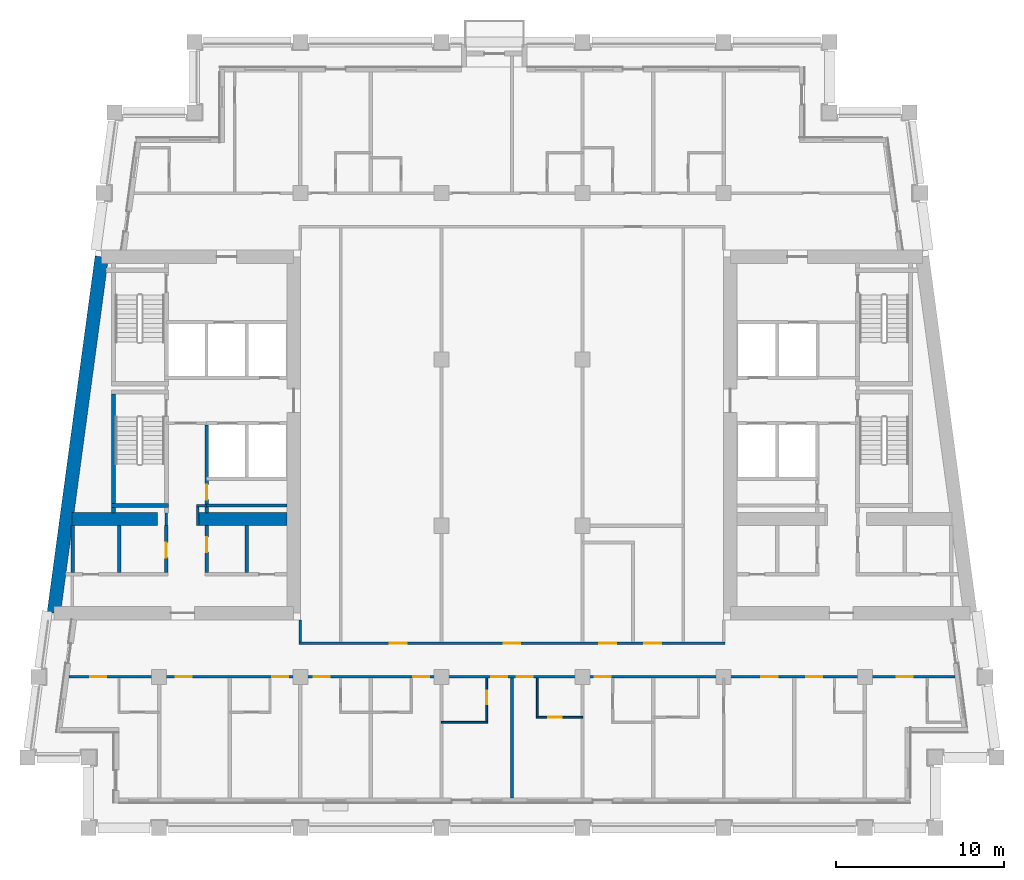
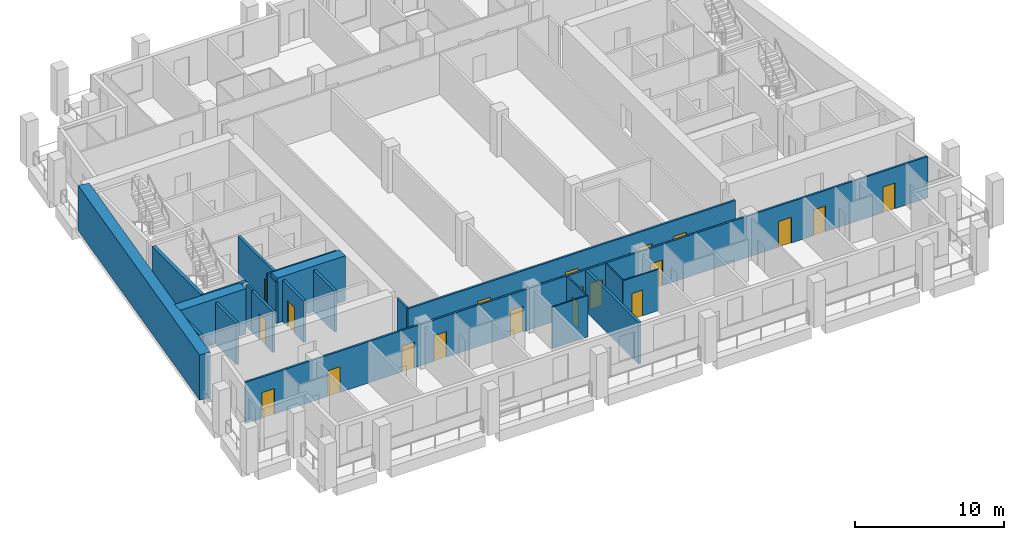
# One storey, part 3 of 13: 23 walls, 20 doors, 20 openings.
"""IFC4 building model written with IfcOpenShell, lengths in metres."""

from ifc_helpers import new_model, si_unit, direction, frame, frame_2d, origin, place, context, subcontext, project, spatial, rectangle, extrude, material, layer, layer_set, type_object, element, fill, save


model = new_model("IFC4")

# Units and contexts
model_context = context("Model", 3, precision=1e-05, world=origin(), true_north=direction((0.0, 1.0)))
body_context = subcontext(model_context, "Body", "Model", "MODEL_VIEW")
ifc_project = project(units=[si_unit("LENGTHUNIT", "METRE"), si_unit("AREAUNIT", "SQUARE_METRE"), si_unit("VOLUMEUNIT", "CUBIC_METRE"), si_unit("PLANEANGLEUNIT", "RADIAN"), si_unit("MASSUNIT", "GRAM", prefix="KILO")], contexts=[model_context])

# Site, building, storey
site_placement = place(None, origin())
site = spatial("IfcSite", under=ifc_project, at=site_placement, CompositionType="ELEMENT")
building_placement = place(site_placement, origin())
building = spatial("IfcBuilding", under=site, at=building_placement, Name="Candeia Pilgrim Tower and Theatre", CompositionType="ELEMENT")
storey_placement = place(building_placement, frame((0.0, 0.0, 202.199951171875)))
storey = spatial("IfcBuildingStorey", under=building, at=storey_placement, Name="L48", CompositionType="ELEMENT", Elevation=202.199951171875)

# Walls
ifc_material_1 = material(Name="Concrete C50/60", Category="concrete")
ifc_layer_1 = layer(ifc_material_1, 0.800048828125)
ifc_layer_set_1 = layer_set([ifc_layer_1], Name="Core wall 800 C50/60")
wall_type_1 = type_object("IfcWallType", Name="Core wall 800 C50/60", PredefinedType="SHEAR", material=ifc_layer_set_1)
wall_1_placement = place(storey_placement, frame((86.126708984375, 110.800048828125, 0.0), z_axis=(0.0, 0.0, 1.0), x_axis=(0.133408347329, 0.991061154956, 0.0)))
element("IfcWall", 1, at=wall_1_placement, inside=storey, type_object=wall_type_1, Name="Core wall W4", PredefinedType="SHEAR", context=body_context, shape_type="SweptSolid", body=[
    extrude(rectangle(XDim=21.39111328125, YDim=0.800048828125, at=frame_2d((10.695556640625, 0.0))), origin(), (0.0, 0.0, 1.0), 3.699951171875),
])
wall_2_placement = place(storey_placement, frame((87.22314453125, 116.39990234375, 0.0), z_axis=(0.0, 0.0, 1.0), x_axis=(1.0, 0.0, 0.0)))
element("IfcWall", 2, at=wall_2_placement, inside=storey, type_object=wall_type_1, Name="Core wall W5", PredefinedType="SHEAR", context=body_context, shape_type="SweptSolid", body=[
    extrude(rectangle(XDim=5.076904296875, YDim=0.800048828125, at=frame_2d((2.53857421875, 0.0))), origin(), (0.0, 0.0, 1.0), 3.699951171875),
])
wall_3_placement = place(storey_placement, frame((94.699951171875, 116.39990234375, 0.0), z_axis=(0.0, 0.0, 1.0), x_axis=(1.0, 0.0, 0.0)))
element("IfcWall", 3, at=wall_3_placement, inside=storey, type_object=wall_type_1, Name="Core wall W6", PredefinedType="SHEAR", context=body_context, shape_type="SweptSolid", body=[
    extrude(rectangle(XDim=5.300048828125, YDim=0.800048828125, at=frame_2d((2.64990234375, 0.0))), origin(), (0.0, 0.0, 1.0), 3.699951171875),
])
ifc_material_2 = material(Name="Gypsum board partition on steel studs", Category="steel")
ifc_layer_2 = layer(ifc_material_2, 0.10009765625)
ifc_layer_set_2 = layer_set([ifc_layer_2], Name="PW-100 room partition")
wall_type_2 = type_object("IfcWallType", Name="PW-100 room partition", PredefinedType="PARTITIONING", material=ifc_layer_set_2)
wall_4_placement = place(storey_placement, frame((109.199951171875, 104.300048828125, 0.0), z_axis=(0.0, 0.0, 1.0), x_axis=(1.0, 0.0, 0.0)))
element("IfcWall", 4, at=wall_4_placement, inside=storey, type_object=wall_type_2, Name="Room partition L48-001", PredefinedType="PARTITIONING", context=body_context, shape_type="SweptSolid", body=[
    extrude(rectangle(XDim=2.75, YDim=0.10009765625, at=frame_2d((1.375, 0.0))), origin(), (0.0, 0.0, 1.0), 3.380126953125),
])

# Wall, opening, door
wall_5_placement = place(storey_placement, frame((114.85009765625, 104.60009765625, 0.0), z_axis=(0.0, 0.0, 1.0), x_axis=(1.0, 0.0, 0.0)))
wall_5 = element("IfcWall", 5, at=wall_5_placement, inside=storey, type_object=wall_type_2, Name="Room partition L48-004", PredefinedType="PARTITIONING", context=body_context, shape_type="SweptSolid", body=[
    extrude(rectangle(XDim=2.75, YDim=0.10009765625, at=frame_2d((1.375, 0.0))), origin(), (0.0, 0.0, 1.0), 3.380126953125),
])
opening_1_placement = place(wall_5_placement, frame((0.699951171875, 0.0, 0.0)))
opening_1 = element("IfcOpeningElement", 6, at=opening_1_placement, cuts=wall_5, Name="Opening L48-D029", PredefinedType="OPENING", context=body_context, shape_type="SweptSolid", body=[
    extrude(rectangle(XDim=0.800048828125, YDim=2.10009765625, at=frame_2d((0.39990234375, 1.050048828125))), frame((0.0, 0.06005859375, 0.0), z_axis=(0.0, -1.0, 0.0), x_axis=(1.0, 0.0, 0.0)), (0.0, 0.0, 1.0), 0.1201171875),
])
ifc_material_3 = material(Name="Timber door leaf", Category="wood")
door_type_1 = type_object("IfcDoorType", Name="D-800", OperationType="NOTDEFINED", PredefinedType="DOOR", material=ifc_material_3)
door_1_placement = place(opening_1_placement, origin())
door_1 = element("IfcDoor", 7, at=door_1_placement, inside=storey, type_object=door_type_1, Name="Door L48-D029", OperationType="SINGLE_SWING_LEFT", OverallHeight=2.10009765625, OverallWidth=0.800048828125, PredefinedType="DOOR", context=body_context, shape_type="SweptSolid", body=[
    extrude(rectangle(XDim=0.800048828125, YDim=2.10009765625, at=frame_2d((0.39990234375, 1.050048828125))), frame((0.0, 0.02490234375, 0.0), z_axis=(0.0, -1.0, 0.0), x_axis=(1.0, 0.0, 0.0)), (0.0, 0.0, 1.0), 0.050048828125),
])
fill(opening_1, door_1)

wall_6_placement = place(storey_placement, frame((111.89990234375, 104.35009765625, 0.0), z_axis=(0.0, 0.0, 1.0), x_axis=(0.0, 1.0, 0.0)))
wall_6 = element("IfcWall", 8, at=wall_6_placement, inside=storey, type_object=wall_type_2, Name="Room partition L48-086", PredefinedType="PARTITIONING", context=body_context, shape_type="SweptSolid", body=[
    extrude(rectangle(XDim=2.574951171875, YDim=0.10009765625, at=frame_2d((1.28759765625, 0.0))), origin(), (0.0, 0.0, 1.0), 3.380126953125),
])
opening_2_placement = place(wall_6_placement, frame((1.02001953125, 0.0, 0.0)))
opening_2 = element("IfcOpeningElement", 9, at=opening_2_placement, cuts=wall_6, Name="Opening L48-D027", PredefinedType="OPENING", context=body_context, shape_type="SweptSolid", body=[
    extrude(rectangle(XDim=0.800048828125, YDim=2.10009765625, at=frame_2d((0.39990234375, 1.050048828125))), frame((0.0, 0.06005859375, 0.0), z_axis=(0.0, -1.0, 0.0), x_axis=(1.0, 0.0, 0.0)), (0.0, 0.0, 1.0), 0.1201171875),
])
door_2_placement = place(opening_2_placement, origin())
door_2 = element("IfcDoor", 10, at=door_2_placement, inside=storey, type_object=door_type_1, Name="Door L48-D027", OperationType="SINGLE_SWING_LEFT", OverallHeight=2.10009765625, OverallWidth=0.800048828125, PredefinedType="DOOR", context=body_context, shape_type="SweptSolid", body=[
    extrude(rectangle(XDim=0.800048828125, YDim=2.10009765625, at=frame_2d((0.39990234375, 1.050048828125))), frame((0.0, 0.02490234375, 0.0), z_axis=(0.0, -1.0, 0.0), x_axis=(1.0, 0.0, 0.0)), (0.0, 0.0, 1.0), 0.050048828125),
])
fill(opening_2, door_2)

# Walls
wall_7_placement = place(storey_placement, frame((114.89990234375, 104.64990234375, 0.0), z_axis=(0.0, 0.0, 1.0), x_axis=(0.0, 1.0, 0.0)))
element("IfcWall", 11, at=wall_7_placement, inside=storey, type_object=wall_type_2, Name="Room partition L48-089", PredefinedType="PARTITIONING", context=body_context, shape_type="SweptSolid", body=[
    extrude(rectangle(XDim=2.275146484375, YDim=0.10009765625, at=frame_2d((1.1376953125, 0.0))), origin(), (0.0, 0.0, 1.0), 3.380126953125),
])
ifc_layer_3 = layer(ifc_material_2, 0.14990234375)
ifc_layer_set_3 = layer_set([ifc_layer_3], Name="PW-150 lobby wall")
wall_type_3 = type_object("IfcWallType", Name="PW-150 lobby wall", PredefinedType="PARTITIONING", material=ifc_layer_set_3)
wall_8_placement = place(storey_placement, frame((94.625, 117.199951171875, 0.0), z_axis=(0.0, 0.0, 1.0), x_axis=(1.0, 0.0, 0.0)))
element("IfcWall", 12, at=wall_8_placement, inside=storey, type_object=wall_type_3, Name="Lobby wall L48-020", PredefinedType="PARTITIONING", context=body_context, shape_type="SweptSolid", body=[
    extrude(rectangle(XDim=0.60205078125, YDim=0.14990234375, at=frame_2d((0.301025390625, 0.0))), origin(), (0.0, 0.0, 1.0), 3.380126953125),
])
wall_9_placement = place(storey_placement, frame((92.826904296875, 116.0, 0.0), z_axis=(0.0, 0.0, 1.0), x_axis=(0.0, 1.0, 0.0)))
element("IfcWall", 13, at=wall_9_placement, inside=storey, type_object=wall_type_3, Name="Lobby wall L48-058", PredefinedType="PARTITIONING", context=body_context, shape_type="SweptSolid", body=[
    extrude(rectangle(XDim=0.77001953125, YDim=0.14990234375, at=frame_2d((0.385009765625, 0.0))), origin(), (0.0, 0.0, 1.0), 3.380126953125),
])
wall_10_placement = place(storey_placement, frame((94.699951171875, 116.0, 0.0), z_axis=(0.0, 0.0, 1.0), x_axis=(0.0, 1.0, 0.0)))
element("IfcWall", 14, at=wall_10_placement, inside=storey, type_object=wall_type_3, Name="Lobby wall L48-063", PredefinedType="PARTITIONING", context=body_context, shape_type="SweptSolid", body=[
    extrude(rectangle(XDim=1.125, YDim=0.14990234375, at=frame_2d((0.5625, 0.0))), origin(), (0.0, 0.0, 1.0), 3.380126953125),
])

# Wall, openings, doors
ifc_layer_4 = layer(ifc_material_2, 0.14990234375)
ifc_layer_set_4 = layer_set([ifc_layer_4], Name="PW-150 unit wall")
wall_type_4 = type_object("IfcWallType", Name="PW-150 unit wall", PredefinedType="PARTITIONING", material=ifc_layer_set_4)
wall_11_placement = place(storey_placement, frame((87.017578125, 107.0, 0.0), z_axis=(0.0, 0.0, 1.0), x_axis=(1.0, 0.0, 0.0)))
wall_11 = element("IfcWall", 15, at=wall_11_placement, inside=storey, type_object=wall_type_4, Name="Unit wall L48-010", PredefinedType="PARTITIONING", context=body_context, shape_type="SweptSolid", body=[
    extrude(rectangle(XDim=52.7646484375, YDim=0.14990234375, at=frame_2d((26.38232421875, 0.0))), origin(), (0.0, 0.0, 1.0), 3.380126953125),
])
opening_3_placement = place(wall_11_placement, frame((1.2763671875, 0.0, 0.0)))
opening_3 = element("IfcOpeningElement", 16, at=opening_3_placement, cuts=wall_11, Name="Opening L48-D017", PredefinedType="OPENING", context=body_context, shape_type="SweptSolid", body=[
    extrude(rectangle(XDim=0.949951171875, YDim=2.10009765625, at=frame_2d((0.47509765625, 1.050048828125))), frame((0.0, 0.0849609375, 0.0), z_axis=(0.0, -1.0, 0.0), x_axis=(1.0, 0.0, 0.0)), (0.0, 0.0, 1.0), 0.169921875),
])
opening_4_placement = place(wall_11_placement, frame((6.369384765625, 0.0, 0.0)))
opening_4 = element("IfcOpeningElement", 17, at=opening_4_placement, cuts=wall_11, Name="Opening L48-D019", PredefinedType="OPENING", context=body_context, shape_type="SweptSolid", body=[
    extrude(rectangle(XDim=0.949951171875, YDim=2.10009765625, at=frame_2d((0.47509765625, 1.050048828125))), frame((0.0, 0.0849609375, 0.0), z_axis=(0.0, -1.0, 0.0), x_axis=(1.0, 0.0, 0.0)), (0.0, 0.0, 1.0), 0.169921875),
])
opening_5_placement = place(wall_11_placement, frame((12.1123046875, 0.0, 0.0)))
opening_5 = element("IfcOpeningElement", 18, at=opening_5_placement, cuts=wall_11, Name="Opening L48-D020", PredefinedType="OPENING", context=body_context, shape_type="SweptSolid", body=[
    extrude(rectangle(XDim=0.949951171875, YDim=2.10009765625, at=frame_2d((0.47509765625, 1.050048828125))), frame((0.0, 0.0849609375, 0.0), z_axis=(0.0, -1.0, 0.0), x_axis=(1.0, 0.0, 0.0)), (0.0, 0.0, 1.0), 0.169921875),
])
opening_6_placement = place(wall_11_placement, frame((14.582275390625, 0.0, 0.0)))
opening_6 = element("IfcOpeningElement", 19, at=opening_6_placement, cuts=wall_11, Name="Opening L48-D022", PredefinedType="OPENING", context=body_context, shape_type="SweptSolid", body=[
    extrude(rectangle(XDim=0.949951171875, YDim=2.10009765625, at=frame_2d((0.47509765625, 1.050048828125))), frame((0.0, 0.0849609375, 0.0), z_axis=(0.0, -1.0, 0.0), x_axis=(1.0, 0.0, 0.0)), (0.0, 0.0, 1.0), 0.169921875),
])
opening_7_placement = place(wall_11_placement, frame((20.51220703125, 0.0, 0.0)))
opening_7 = element("IfcOpeningElement", 20, at=opening_7_placement, cuts=wall_11, Name="Opening L48-D024", PredefinedType="OPENING", context=body_context, shape_type="SweptSolid", body=[
    extrude(rectangle(XDim=0.949951171875, YDim=2.10009765625, at=frame_2d((0.47509765625, 1.050048828125))), frame((0.0, 0.0849609375, 0.0), z_axis=(0.0, -1.0, 0.0), x_axis=(1.0, 0.0, 0.0)), (0.0, 0.0, 1.0), 0.169921875),
])
opening_8_placement = place(wall_11_placement, frame((25.1572265625, 0.0, 0.0)))
opening_8 = element("IfcOpeningElement", 21, at=opening_8_placement, cuts=wall_11, Name="Opening L48-D026", PredefinedType="OPENING", context=body_context, shape_type="SweptSolid", body=[
    extrude(rectangle(XDim=0.949951171875, YDim=2.10009765625, at=frame_2d((0.47509765625, 1.050048828125))), frame((0.0, 0.0849609375, 0.0), z_axis=(0.0, -1.0, 0.0), x_axis=(1.0, 0.0, 0.0)), (0.0, 0.0, 1.0), 0.169921875),
])
opening_9_placement = place(wall_11_placement, frame((26.6572265625, 0.0, 0.0)))
opening_9 = element("IfcOpeningElement", 22, at=opening_9_placement, cuts=wall_11, Name="Opening L48-D028", PredefinedType="OPENING", context=body_context, shape_type="SweptSolid", body=[
    extrude(rectangle(XDim=0.949951171875, YDim=2.10009765625, at=frame_2d((0.47509765625, 1.050048828125))), frame((0.0, 0.0849609375, 0.0), z_axis=(0.0, -1.0, 0.0), x_axis=(1.0, 0.0, 0.0)), (0.0, 0.0, 1.0), 0.169921875),
])
opening_10_placement = place(wall_11_placement, frame((31.30224609375, 0.0, 0.0)))
opening_10 = element("IfcOpeningElement", 23, at=opening_10_placement, cuts=wall_11, Name="Opening L48-D030", PredefinedType="OPENING", context=body_context, shape_type="SweptSolid", body=[
    extrude(rectangle(XDim=0.949951171875, YDim=2.10009765625, at=frame_2d((0.47509765625, 1.050048828125))), frame((0.0, 0.0849609375, 0.0), z_axis=(0.0, -1.0, 0.0), x_axis=(1.0, 0.0, 0.0)), (0.0, 0.0, 1.0), 0.169921875),
])
opening_11_placement = place(wall_11_placement, frame((41.207275390625, 0.0, 0.0)))
opening_11 = element("IfcOpeningElement", 24, at=opening_11_placement, cuts=wall_11, Name="Opening L48-D032", PredefinedType="OPENING", context=body_context, shape_type="SweptSolid", body=[
    extrude(rectangle(XDim=1.0, YDim=2.10009765625, at=frame_2d((0.5, 1.050048828125))), frame((0.0, 0.0849609375, 0.0), z_axis=(0.0, -1.0, 0.0), x_axis=(1.0, 0.0, 0.0)), (0.0, 0.0, 1.0), 0.169921875),
])
opening_12_placement = place(wall_11_placement, frame((43.9072265625, 0.0, 0.0)))
opening_12 = element("IfcOpeningElement", 25, at=opening_12_placement, cuts=wall_11, Name="Opening L48-D035", PredefinedType="OPENING", context=body_context, shape_type="SweptSolid", body=[
    extrude(rectangle(XDim=0.949951171875, YDim=2.10009765625, at=frame_2d((0.47509765625, 1.050048828125))), frame((0.0, 0.0849609375, 0.0), z_axis=(0.0, -1.0, 0.0), x_axis=(1.0, 0.0, 0.0)), (0.0, 0.0, 1.0), 0.169921875),
])
opening_13_placement = place(wall_11_placement, frame((49.285400390625, 0.0, 0.0)))
opening_13 = element("IfcOpeningElement", 26, at=opening_13_placement, cuts=wall_11, Name="Opening L48-D037", PredefinedType="OPENING", context=body_context, shape_type="SweptSolid", body=[
    extrude(rectangle(XDim=0.949951171875, YDim=2.10009765625, at=frame_2d((0.47509765625, 1.050048828125))), frame((0.0, 0.0849609375, 0.0), z_axis=(0.0, -1.0, 0.0), x_axis=(1.0, 0.0, 0.0)), (0.0, 0.0, 1.0), 0.169921875),
])
ifc_material_4 = material(Name="Steel fire door set", Category="steel")
door_type_2 = type_object("IfcDoorType", Name="D-1000-FD30S", OperationType="NOTDEFINED", PredefinedType="DOOR", material=ifc_material_4)
door_3_placement = place(opening_11_placement, origin())
door_3 = element("IfcDoor", 27, at=door_3_placement, inside=storey, type_object=door_type_2, Name="Door L48-D032", OperationType="SINGLE_SWING_RIGHT", OverallHeight=2.10009765625, OverallWidth=1.0, PredefinedType="DOOR", context=body_context, shape_type="SweptSolid", body=[
    extrude(rectangle(XDim=1.0, YDim=2.10009765625, at=frame_2d((0.5, 1.050048828125))), frame((0.0, 0.02490234375, 0.0), z_axis=(0.0, -1.0, 0.0), x_axis=(1.0, 0.0, 0.0)), (0.0, 0.0, 1.0), 0.050048828125),
])
fill(opening_11, door_3)
door_type_3 = type_object("IfcDoorType", Name="D-950-FD30S", OperationType="NOTDEFINED", PredefinedType="DOOR", material=ifc_material_4)
door_4_placement = place(opening_3_placement, origin())
door_4 = element("IfcDoor", 28, at=door_4_placement, inside=storey, type_object=door_type_3, Name="Door L48-D017", OperationType="SINGLE_SWING_LEFT", OverallHeight=2.10009765625, OverallWidth=0.949951171875, PredefinedType="DOOR", context=body_context, shape_type="SweptSolid", body=[
    extrude(rectangle(XDim=0.949951171875, YDim=2.10009765625, at=frame_2d((0.47509765625, 1.050048828125))), frame((0.0, 0.02490234375, 0.0), z_axis=(0.0, -1.0, 0.0), x_axis=(1.0, 0.0, 0.0)), (0.0, 0.0, 1.0), 0.050048828125),
])
fill(opening_3, door_4)
door_5_placement = place(opening_4_placement, origin())
door_5 = element("IfcDoor", 29, at=door_5_placement, inside=storey, type_object=door_type_3, Name="Door L48-D019", OperationType="SINGLE_SWING_LEFT", OverallHeight=2.10009765625, OverallWidth=0.949951171875, PredefinedType="DOOR", context=body_context, shape_type="SweptSolid", body=[
    extrude(rectangle(XDim=0.949951171875, YDim=2.10009765625, at=frame_2d((0.47509765625, 1.050048828125))), frame((0.0, 0.02490234375, 0.0), z_axis=(0.0, -1.0, 0.0), x_axis=(1.0, 0.0, 0.0)), (0.0, 0.0, 1.0), 0.050048828125),
])
fill(opening_4, door_5)
door_6_placement = place(opening_5_placement, origin())
door_6 = element("IfcDoor", 30, at=door_6_placement, inside=storey, type_object=door_type_3, Name="Door L48-D020", OperationType="SINGLE_SWING_RIGHT", OverallHeight=2.10009765625, OverallWidth=0.949951171875, PredefinedType="DOOR", context=body_context, shape_type="SweptSolid", body=[
    extrude(rectangle(XDim=0.949951171875, YDim=2.10009765625, at=frame_2d((0.47509765625, 1.050048828125))), frame((0.0, 0.02490234375, 0.0), z_axis=(0.0, -1.0, 0.0), x_axis=(1.0, 0.0, 0.0)), (0.0, 0.0, 1.0), 0.050048828125),
])
fill(opening_5, door_6)
door_7_placement = place(opening_6_placement, origin())
door_7 = element("IfcDoor", 31, at=door_7_placement, inside=storey, type_object=door_type_3, Name="Door L48-D022", OperationType="SINGLE_SWING_RIGHT", OverallHeight=2.10009765625, OverallWidth=0.949951171875, PredefinedType="DOOR", context=body_context, shape_type="SweptSolid", body=[
    extrude(rectangle(XDim=0.949951171875, YDim=2.10009765625, at=frame_2d((0.47509765625, 1.050048828125))), frame((0.0, 0.02490234375, 0.0), z_axis=(0.0, -1.0, 0.0), x_axis=(1.0, 0.0, 0.0)), (0.0, 0.0, 1.0), 0.050048828125),
])
fill(opening_6, door_7)
door_8_placement = place(opening_7_placement, origin())
door_8 = element("IfcDoor", 32, at=door_8_placement, inside=storey, type_object=door_type_3, Name="Door L48-D024", OperationType="SINGLE_SWING_RIGHT", OverallHeight=2.10009765625, OverallWidth=0.949951171875, PredefinedType="DOOR", context=body_context, shape_type="SweptSolid", body=[
    extrude(rectangle(XDim=0.949951171875, YDim=2.10009765625, at=frame_2d((0.47509765625, 1.050048828125))), frame((0.0, 0.02490234375, 0.0), z_axis=(0.0, -1.0, 0.0), x_axis=(1.0, 0.0, 0.0)), (0.0, 0.0, 1.0), 0.050048828125),
])
fill(opening_7, door_8)
door_9_placement = place(opening_8_placement, origin())
door_9 = element("IfcDoor", 33, at=door_9_placement, inside=storey, type_object=door_type_3, Name="Door L48-D026", OperationType="SINGLE_SWING_RIGHT", OverallHeight=2.10009765625, OverallWidth=0.949951171875, PredefinedType="DOOR", context=body_context, shape_type="SweptSolid", body=[
    extrude(rectangle(XDim=0.949951171875, YDim=2.10009765625, at=frame_2d((0.47509765625, 1.050048828125))), frame((0.0, 0.02490234375, 0.0), z_axis=(0.0, -1.0, 0.0), x_axis=(1.0, 0.0, 0.0)), (0.0, 0.0, 1.0), 0.050048828125),
])
fill(opening_8, door_9)
door_10_placement = place(opening_9_placement, origin())
door_10 = element("IfcDoor", 34, at=door_10_placement, inside=storey, type_object=door_type_3, Name="Door L48-D028", OperationType="SINGLE_SWING_RIGHT", OverallHeight=2.10009765625, OverallWidth=0.949951171875, PredefinedType="DOOR", context=body_context, shape_type="SweptSolid", body=[
    extrude(rectangle(XDim=0.949951171875, YDim=2.10009765625, at=frame_2d((0.47509765625, 1.050048828125))), frame((0.0, 0.02490234375, 0.0), z_axis=(0.0, -1.0, 0.0), x_axis=(1.0, 0.0, 0.0)), (0.0, 0.0, 1.0), 0.050048828125),
])
fill(opening_9, door_10)
door_11_placement = place(opening_10_placement, origin())
door_11 = element("IfcDoor", 35, at=door_11_placement, inside=storey, type_object=door_type_3, Name="Door L48-D030", OperationType="SINGLE_SWING_RIGHT", OverallHeight=2.10009765625, OverallWidth=0.949951171875, PredefinedType="DOOR", context=body_context, shape_type="SweptSolid", body=[
    extrude(rectangle(XDim=0.949951171875, YDim=2.10009765625, at=frame_2d((0.47509765625, 1.050048828125))), frame((0.0, 0.02490234375, 0.0), z_axis=(0.0, -1.0, 0.0), x_axis=(1.0, 0.0, 0.0)), (0.0, 0.0, 1.0), 0.050048828125),
])
fill(opening_10, door_11)
door_12_placement = place(opening_12_placement, origin())
door_12 = element("IfcDoor", 36, at=door_12_placement, inside=storey, type_object=door_type_3, Name="Door L48-D035", OperationType="SINGLE_SWING_LEFT", OverallHeight=2.10009765625, OverallWidth=0.949951171875, PredefinedType="DOOR", context=body_context, shape_type="SweptSolid", body=[
    extrude(rectangle(XDim=0.949951171875, YDim=2.10009765625, at=frame_2d((0.47509765625, 1.050048828125))), frame((0.0, 0.02490234375, 0.0), z_axis=(0.0, -1.0, 0.0), x_axis=(1.0, 0.0, 0.0)), (0.0, 0.0, 1.0), 0.050048828125),
])
fill(opening_12, door_12)
door_13_placement = place(opening_13_placement, origin())
door_13 = element("IfcDoor", 37, at=door_13_placement, inside=storey, type_object=door_type_3, Name="Door L48-D037", OperationType="SINGLE_SWING_LEFT", OverallHeight=2.10009765625, OverallWidth=0.949951171875, PredefinedType="DOOR", context=body_context, shape_type="SweptSolid", body=[
    extrude(rectangle(XDim=0.949951171875, YDim=2.10009765625, at=frame_2d((0.47509765625, 1.050048828125))), frame((0.0, 0.02490234375, 0.0), z_axis=(0.0, -1.0, 0.0), x_axis=(1.0, 0.0, 0.0)), (0.0, 0.0, 1.0), 0.050048828125),
])
fill(opening_13, door_13)

wall_12_placement = place(storey_placement, frame((100.72509765625, 109.0, 0.0), z_axis=(0.0, 0.0, 1.0), x_axis=(1.0, 0.0, 0.0)))
wall_12 = element("IfcWall", 38, at=wall_12_placement, inside=storey, type_object=wall_type_4, Name="Unit wall L48-011", PredefinedType="PARTITIONING", context=body_context, shape_type="SweptSolid", body=[
    extrude(rectangle(XDim=25.349853515625, YDim=0.14990234375, at=frame_2d((12.6748046875, 0.0))), origin(), (0.0, 0.0, 1.0), 3.380126953125),
])
opening_14_placement = place(wall_12_placement, frame((20.550048828125, 0.0, 0.0)))
opening_14 = element("IfcOpeningElement", 39, at=opening_14_placement, cuts=wall_12, Name="Opening L48-D053", PredefinedType="OPENING", context=body_context, shape_type="SweptSolid", body=[
    extrude(rectangle(XDim=1.0, YDim=2.10009765625, at=frame_2d((0.5, 1.050048828125))), frame((0.0, 0.0849609375, 0.0), z_axis=(0.0, -1.0, 0.0), x_axis=(1.0, 0.0, 0.0)), (0.0, 0.0, 1.0), 0.169921875),
])
opening_15_placement = place(wall_12_placement, frame((5.405029296875, 0.0, 0.0)))
opening_15 = element("IfcOpeningElement", 40, at=opening_15_placement, cuts=wall_12, Name="Opening L48-D054", PredefinedType="OPENING", context=body_context, shape_type="SweptSolid", body=[
    extrude(rectangle(XDim=1.0, YDim=2.10009765625, at=frame_2d((0.5, 1.050048828125))), frame((0.0, 0.0849609375, 0.0), z_axis=(0.0, -1.0, 0.0), x_axis=(1.0, 0.0, 0.0)), (0.0, 0.0, 1.0), 0.169921875),
])
opening_16_placement = place(wall_12_placement, frame((12.175048828125, 0.0, 0.0)))
opening_16 = element("IfcOpeningElement", 41, at=opening_16_placement, cuts=wall_12, Name="Opening L48-D055", PredefinedType="OPENING", context=body_context, shape_type="SweptSolid", body=[
    extrude(rectangle(XDim=1.0, YDim=2.10009765625, at=frame_2d((0.5, 1.050048828125))), frame((0.0, 0.0849609375, 0.0), z_axis=(0.0, -1.0, 0.0), x_axis=(1.0, 0.0, 0.0)), (0.0, 0.0, 1.0), 0.169921875),
])
opening_17_placement = place(wall_12_placement, frame((17.875, 0.0, 0.0)))
opening_17 = element("IfcOpeningElement", 42, at=opening_17_placement, cuts=wall_12, Name="Opening L48-D056", PredefinedType="OPENING", context=body_context, shape_type="SweptSolid", body=[
    extrude(rectangle(XDim=1.0, YDim=2.10009765625, at=frame_2d((0.5, 1.050048828125))), frame((0.0, 0.0849609375, 0.0), z_axis=(0.0, -1.0, 0.0), x_axis=(1.0, 0.0, 0.0)), (0.0, 0.0, 1.0), 0.169921875),
])
door_14_placement = place(opening_14_placement, origin())
door_14 = element("IfcDoor", 43, at=door_14_placement, inside=storey, type_object=door_type_2, Name="Door L48-D053", OperationType="SINGLE_SWING_LEFT", OverallHeight=2.10009765625, OverallWidth=1.0, PredefinedType="DOOR", context=body_context, shape_type="SweptSolid", body=[
    extrude(rectangle(XDim=1.0, YDim=2.10009765625, at=frame_2d((0.5, 1.050048828125))), frame((0.0, 0.02490234375, 0.0), z_axis=(0.0, -1.0, 0.0), x_axis=(1.0, 0.0, 0.0)), (0.0, 0.0, 1.0), 0.050048828125),
])
fill(opening_14, door_14)
door_15_placement = place(opening_15_placement, origin())
door_15 = element("IfcDoor", 44, at=door_15_placement, inside=storey, type_object=door_type_2, Name="Door L48-D054", OperationType="SINGLE_SWING_RIGHT", OverallHeight=2.10009765625, OverallWidth=1.0, PredefinedType="DOOR", context=body_context, shape_type="SweptSolid", body=[
    extrude(rectangle(XDim=1.0, YDim=2.10009765625, at=frame_2d((0.5, 1.050048828125))), frame((0.0, 0.02490234375, 0.0), z_axis=(0.0, -1.0, 0.0), x_axis=(1.0, 0.0, 0.0)), (0.0, 0.0, 1.0), 0.050048828125),
])
fill(opening_15, door_15)
door_16_placement = place(opening_16_placement, origin())
door_16 = element("IfcDoor", 45, at=door_16_placement, inside=storey, type_object=door_type_2, Name="Door L48-D055", OperationType="SINGLE_SWING_LEFT", OverallHeight=2.10009765625, OverallWidth=1.0, PredefinedType="DOOR", context=body_context, shape_type="SweptSolid", body=[
    extrude(rectangle(XDim=1.0, YDim=2.10009765625, at=frame_2d((0.5, 1.050048828125))), frame((0.0, 0.02490234375, 0.0), z_axis=(0.0, -1.0, 0.0), x_axis=(1.0, 0.0, 0.0)), (0.0, 0.0, 1.0), 0.050048828125),
])
fill(opening_16, door_16)
door_17_placement = place(opening_17_placement, origin())
door_17 = element("IfcDoor", 46, at=door_17_placement, inside=storey, type_object=door_type_2, Name="Door L48-D056", OperationType="SINGLE_SWING_RIGHT", OverallHeight=2.10009765625, OverallWidth=1.0, PredefinedType="DOOR", context=body_context, shape_type="SweptSolid", body=[
    extrude(rectangle(XDim=1.0, YDim=2.10009765625, at=frame_2d((0.5, 1.050048828125))), frame((0.0, 0.02490234375, 0.0), z_axis=(0.0, -1.0, 0.0), x_axis=(1.0, 0.0, 0.0)), (0.0, 0.0, 1.0), 0.050048828125),
])
fill(opening_17, door_17)

# Walls
wall_13_placement = place(storey_placement, frame((100.800048828125, 109.074951171875, 0.0), z_axis=(0.0, 0.0, 1.0), x_axis=(0.0, 1.0, 0.0)))
element("IfcWall", 47, at=wall_13_placement, inside=storey, type_object=wall_type_4, Name="Unit wall L48-075", PredefinedType="PARTITIONING", context=body_context, shape_type="SweptSolid", body=[
    extrude(rectangle(XDim=1.324951171875, YDim=0.14990234375, at=frame_2d((0.66259765625, 0.0))), origin(), (0.0, 0.0, 1.0), 3.380126953125),
])
ifc_layer_5 = layer(ifc_material_2, 0.199951171875)
ifc_layer_set_5 = layer_set([ifc_layer_5], Name="PW-200 party wall")
wall_type_5 = type_object("IfcWallType", Name="PW-200 party wall", PredefinedType="PARTITIONING", material=ifc_layer_set_5)
wall_14_placement = place(storey_placement, frame((113.39990234375, 99.7900390625, 0.0), z_axis=(0.0, 0.0, 1.0), x_axis=(0.0, 1.0, 0.0)))
element("IfcWall", 48, at=wall_14_placement, inside=storey, type_object=wall_type_5, Name="Party wall L48-087", PredefinedType="PARTITIONING", context=body_context, shape_type="SweptSolid", body=[
    extrude(rectangle(XDim=7.135009765625, YDim=0.199951171875, at=frame_2d((3.5673828125, 0.0))), origin(), (0.0, 0.0, 1.0), 3.380126953125),
])
ifc_material_5 = material(Name="Concrete C40/50", Category="concrete")
ifc_layer_6 = layer(ifc_material_5, 0.199951171875)
ifc_layer_set_6 = layer_set([ifc_layer_6], Name="SW-200 shaft wall")
wall_type_6 = type_object("IfcWallType", Name="SW-200 shaft wall", PredefinedType="PARTITIONING", material=ifc_layer_set_6)
wall_15_placement = place(storey_placement, frame((95.22705078125, 117.199951171875, 0.0), z_axis=(0.0, 0.0, 1.0), x_axis=(1.0, 0.0, 0.0)))
element("IfcWall", 49, at=wall_15_placement, inside=storey, type_object=wall_type_6, Name="Shaft wall L48-018", PredefinedType="PARTITIONING", context=body_context, shape_type="SweptSolid", body=[
    extrude(rectangle(XDim=4.77294921875, YDim=0.199951171875, at=frame_2d((2.386474609375, 0.0))), origin(), (0.0, 0.0, 1.0), 3.380126953125),
])
for number, where, z_axis, x_axis, name in (
    (50, (87.24951171875, 113.199951171875, 0.0), (0.0, 0.0, 1.0), (0.0, 1.0, 0.0), "Shaft wall L48-050"),
    (51, (90.027099609375, 113.199951171875, 0.0), (0.0, 0.0, 1.0), (0.0, 1.0, 0.0), "Shaft wall L48-055"),
):
    element("IfcWall", number, at=place(storey_placement, frame(where, z_axis=z_axis, x_axis=x_axis)), inside=storey, type_object=wall_type_6, Name=name, PredefinedType="PARTITIONING", context=body_context, shape_type="SweptSolid", body=[
        extrude(rectangle(XDim=2.800048828125, YDim=0.199951171875, at=frame_2d((1.39990234375, 0.0))), origin(), (0.0, 0.0, 1.0), 3.380126953125),
    ])

# Wall, opening, door
wall_16_placement = place(storey_placement, frame((92.826904296875, 113.199951171875, 0.0), z_axis=(0.0, 0.0, 1.0), x_axis=(0.0, 1.0, 0.0)))
wall_16 = element("IfcWall", 52, at=wall_16_placement, inside=storey, type_object=wall_type_6, Name="Shaft wall L48-057", PredefinedType="PARTITIONING", context=body_context, shape_type="SweptSolid", body=[
    extrude(rectangle(XDim=2.800048828125, YDim=0.199951171875, at=frame_2d((1.39990234375, 0.0))), origin(), (0.0, 0.0, 1.0), 3.380126953125),
])
opening_18_placement = place(wall_16_placement, frame((0.89990234375, 0.0, 0.0)))
opening_18 = element("IfcOpeningElement", 53, at=opening_18_placement, cuts=wall_16, Name="Opening L48-D006", PredefinedType="OPENING", context=body_context, shape_type="SweptSolid", body=[
    extrude(rectangle(XDim=0.89990234375, YDim=2.10009765625, at=frame_2d((0.449951171875, 1.050048828125))), frame((0.0, 0.10986328125, 0.0), z_axis=(0.0, -1.0, 0.0), x_axis=(1.0, 0.0, 0.0)), (0.0, 0.0, 1.0), 0.219970703125),
])
door_type_4 = type_object("IfcDoorType", Name="D-900-FD60", OperationType="NOTDEFINED", PredefinedType="DOOR", material=ifc_material_4)
door_18_placement = place(opening_18_placement, origin())
door_18 = element("IfcDoor", 54, at=door_18_placement, inside=storey, type_object=door_type_4, Name="Door L48-D006", OperationType="SINGLE_SWING_RIGHT", OverallHeight=2.10009765625, OverallWidth=0.89990234375, PredefinedType="DOOR", context=body_context, shape_type="SweptSolid", body=[
    extrude(rectangle(XDim=0.89990234375, YDim=2.10009765625, at=frame_2d((0.449951171875, 1.050048828125))), frame((0.0, 0.02490234375, 0.0), z_axis=(0.0, -1.0, 0.0), x_axis=(1.0, 0.0, 0.0)), (0.0, 0.0, 1.0), 0.050048828125),
])
fill(opening_18, door_18)

wall_17_placement = place(storey_placement, frame((95.22705078125, 113.199951171875, 0.0), z_axis=(0.0, 0.0, 1.0), x_axis=(0.0, 1.0, 0.0)))
wall_17 = element("IfcWall", 55, at=wall_17_placement, inside=storey, type_object=wall_type_6, Name="Shaft wall L48-065", PredefinedType="PARTITIONING", context=body_context, shape_type="SweptSolid", body=[
    extrude(rectangle(XDim=2.800048828125, YDim=0.199951171875, at=frame_2d((1.39990234375, 0.0))), origin(), (0.0, 0.0, 1.0), 3.380126953125),
])
opening_19_placement = place(wall_17_placement, frame((1.22509765625, 0.0, 0.0)))
opening_19 = element("IfcOpeningElement", 56, at=opening_19_placement, cuts=wall_17, Name="Opening L48-D007", PredefinedType="OPENING", context=body_context, shape_type="SweptSolid", body=[
    extrude(rectangle(XDim=0.89990234375, YDim=2.10009765625, at=frame_2d((0.449951171875, 1.050048828125))), frame((0.0, 0.10986328125, 0.0), z_axis=(0.0, -1.0, 0.0), x_axis=(1.0, 0.0, 0.0)), (0.0, 0.0, 1.0), 0.219970703125),
])
door_19_placement = place(opening_19_placement, origin())
door_19 = element("IfcDoor", 57, at=door_19_placement, inside=storey, type_object=door_type_4, Name="Door L48-D007", OperationType="SINGLE_SWING_LEFT", OverallHeight=2.10009765625, OverallWidth=0.89990234375, PredefinedType="DOOR", context=body_context, shape_type="SweptSolid", body=[
    extrude(rectangle(XDim=0.89990234375, YDim=2.10009765625, at=frame_2d((0.449951171875, 1.050048828125))), frame((0.0, 0.02490234375, 0.0), z_axis=(0.0, -1.0, 0.0), x_axis=(1.0, 0.0, 0.0)), (0.0, 0.0, 1.0), 0.050048828125),
])
fill(opening_19, door_19)

wall_18_placement = place(storey_placement, frame((95.22705078125, 116.77001953125, 0.0), z_axis=(0.0, 0.0, 1.0), x_axis=(0.0, 1.0, 0.0)))
wall_18 = element("IfcWall", 58, at=wall_18_placement, inside=storey, type_object=wall_type_6, Name="Shaft wall L48-066", PredefinedType="PARTITIONING", context=body_context, shape_type="SweptSolid", body=[
    extrude(rectangle(XDim=5.22998046875, YDim=0.199951171875, at=frame_2d((2.614990234375, 0.0))), origin(), (0.0, 0.0, 1.0), 3.380126953125),
])
opening_20_placement = place(wall_18_placement, frame((0.780029296875, 0.0, 0.0)))
opening_20 = element("IfcOpeningElement", 59, at=opening_20_placement, cuts=wall_18, Name="Opening L48-D004", PredefinedType="OPENING", context=body_context, shape_type="SweptSolid", body=[
    extrude(rectangle(XDim=0.89990234375, YDim=2.10009765625, at=frame_2d((0.449951171875, 1.050048828125))), frame((0.0, 0.10986328125, 0.0), z_axis=(0.0, -1.0, 0.0), x_axis=(1.0, 0.0, 0.0)), (0.0, 0.0, 1.0), 0.219970703125),
])
door_20_placement = place(opening_20_placement, origin())
door_20 = element("IfcDoor", 60, at=door_20_placement, inside=storey, type_object=door_type_4, Name="Door L48-D004", OperationType="SINGLE_SWING_RIGHT", OverallHeight=2.10009765625, OverallWidth=0.89990234375, PredefinedType="DOOR", context=body_context, shape_type="SweptSolid", body=[
    extrude(rectangle(XDim=0.89990234375, YDim=2.10009765625, at=frame_2d((0.449951171875, 1.050048828125))), frame((0.0, 0.02490234375, 0.0), z_axis=(0.0, -1.0, 0.0), x_axis=(1.0, 0.0, 0.0)), (0.0, 0.0, 1.0), 0.050048828125),
])
fill(opening_20, door_20)

# Walls
wall_19_placement = place(storey_placement, frame((97.613525390625, 113.199951171875, 0.0), z_axis=(0.0, 0.0, 1.0), x_axis=(0.0, 1.0, 0.0)))
element("IfcWall", 61, at=wall_19_placement, inside=storey, type_object=wall_type_6, Name="Shaft wall L48-070", PredefinedType="PARTITIONING", context=body_context, shape_type="SweptSolid", body=[
    extrude(rectangle(XDim=2.800048828125, YDim=0.199951171875, at=frame_2d((1.39990234375, 0.0))), origin(), (0.0, 0.0, 1.0), 3.380126953125),
])
ifc_layer_7 = layer(ifc_material_5, 0.25)
ifc_layer_set_7 = layer_set([ifc_layer_7], Name="SW-250 stair wall")
wall_type_7 = type_object("IfcWallType", Name="SW-250 stair wall", PredefinedType="PARTITIONING", material=ifc_layer_set_7)
wall_20_placement = place(storey_placement, frame((89.552001953125, 117.199951171875, 0.0), z_axis=(0.0, 0.0, 1.0), x_axis=(1.0, 0.0, 0.0)))
element("IfcWall", 62, at=wall_20_placement, inside=storey, type_object=wall_type_7, Name="Stair wall L48-022", PredefinedType="PARTITIONING", context=body_context, shape_type="SweptSolid", body=[
    extrude(rectangle(XDim=3.39990234375, YDim=0.25, at=frame_2d((1.699951171875, 0.0))), origin(), (0.0, 0.0, 1.0), 3.380126953125),
])
wall_21_placement = place(storey_placement, frame((89.677001953125, 116.77001953125, 0.0), z_axis=(0.0, 0.0, 1.0), x_axis=(0.0, 1.0, 0.0)))
element("IfcWall", 63, at=wall_21_placement, inside=storey, type_object=wall_type_7, Name="Stair wall L48-052", PredefinedType="PARTITIONING", context=body_context, shape_type="SweptSolid", body=[
    extrude(rectangle(XDim=7.054931640625, YDim=0.25, at=frame_2d((3.52734375, 0.0))), origin(), (0.0, 0.0, 1.0), 3.380126953125),
])

save(model, "model.ifc")
